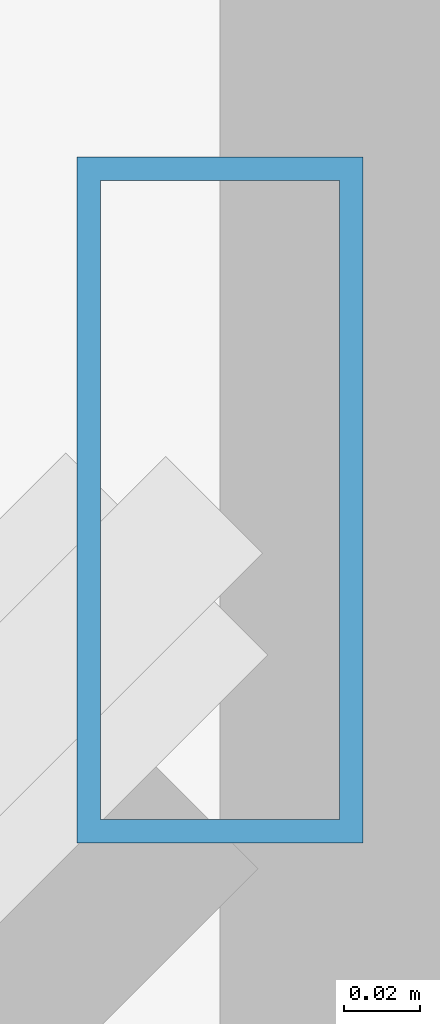
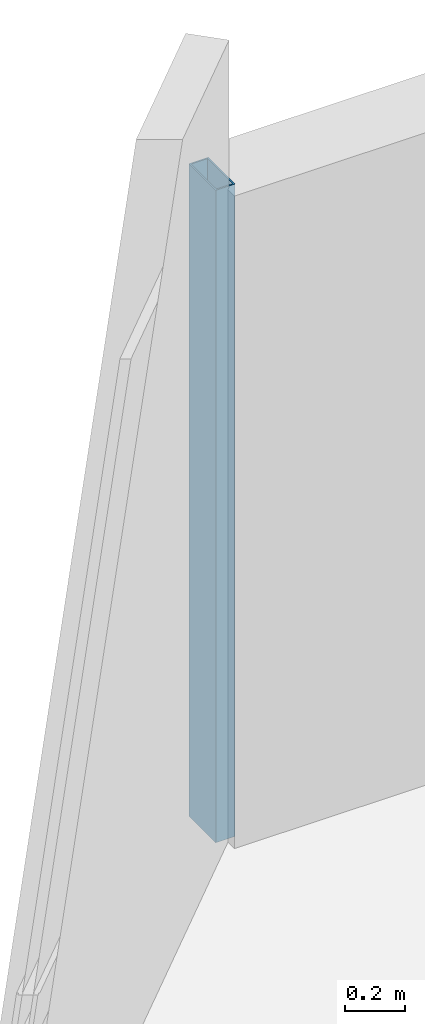
# One storey, part 9 of 33: 1 member, 1 element without a shape of its own.
"""IFC4 building model written with IfcOpenShell, lengths in metres."""

from ifc_helpers import new_model, si_unit, direction, frame, origin, origin_2d, place, context, subcontext, project, spatial, hollow_rectangle, extrude, material, material_profile, profile_set, type_object, element, aggregate, save


model = new_model("IFC4")

# Units and contexts
model_context = context("Model", 3, precision=1e-05, world=origin(), true_north=direction((0.0, 1.0)))
body_context = subcontext(model_context, "Body", "Model", "MODEL_VIEW")
ifc_project = project(units=[si_unit("LENGTHUNIT", "METRE"), si_unit("AREAUNIT", "SQUARE_METRE"), si_unit("VOLUMEUNIT", "CUBIC_METRE"), si_unit("PLANEANGLEUNIT", "RADIAN"), si_unit("MASSUNIT", "GRAM", prefix="KILO")], contexts=[model_context])

# Site, building, storey
site_placement = place(None, origin())
site = spatial("IfcSite", under=ifc_project, at=site_placement, CompositionType="ELEMENT")
building_placement = place(site_placement, origin())
building = spatial("IfcBuilding", under=site, at=building_placement, Name="Thornwick Lancets Civic Towers", CompositionType="ELEMENT")
storey_placement = place(building_placement, frame((0.0, 0.0, 218.10009765625)))
storey = spatial("IfcBuildingStorey", under=building, at=storey_placement, Name="L58", CompositionType="ELEMENT", Elevation=218.10009765625)

# Curtain wall, member
ifc_material_1 = material(Name="High-zone chamfered-corner unitised glass curtain wall", Category="glass")
curtain_wall_type = type_object("IfcCurtainWallType", Name="CW_SYS_05", PredefinedType="NOTDEFINED", material=ifc_material_1)
curtain_wall_placement = place(storey_placement, origin())
curtain_wall = element("IfcCurtainWall", 1, at=curtain_wall_placement, inside=storey, type_object=curtain_wall_type, Name="L58 Curtain Wall CW-L58-A-E5", PredefinedType="NOTDEFINED")
ifc_material_2 = material(Name="Thermally broken bronze aluminium S355", Category="steel")
ifc_material_profile = material_profile(ifc_material_2, hollow_rectangle(XDim=0.074951171875, YDim=0.179931640625, WallThickness=0.006103515625, at=origin_2d()), Name="RHS 180x75x6")
ifc_profile_set = profile_set([ifc_material_profile], Name="Thermally broken bronze aluminium S355")
member_type = type_object("IfcMemberType", Name="CW_MUL_180", PredefinedType="MULLION", material=ifc_profile_set)
member_placement = place(storey_placement, frame((4.594482421875, 50.763671875, 0.0), z_axis=(0.0, 0.0, 1.0), x_axis=(1.0, 0.0, 0.0)))
member = element("IfcMember", 2, at=member_placement, type_object=member_type, Name="CW-L58-A-E5 Mullion 0", PredefinedType="MULLION", context=body_context, shape_type="SweptSolid", body=[
    extrude(hollow_rectangle(XDim=0.074951171875, YDim=0.179931640625, WallThickness=0.006103515625, at=origin_2d()), origin(), (0.0, 0.0, 1.0), 2.659912109375),
])
aggregate(curtain_wall, [member])

save(model, "model.ifc")
